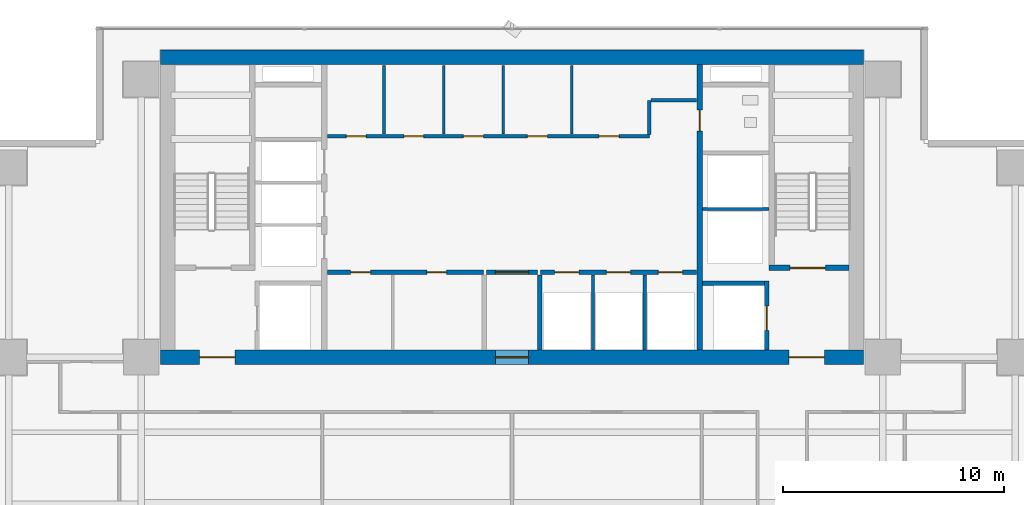
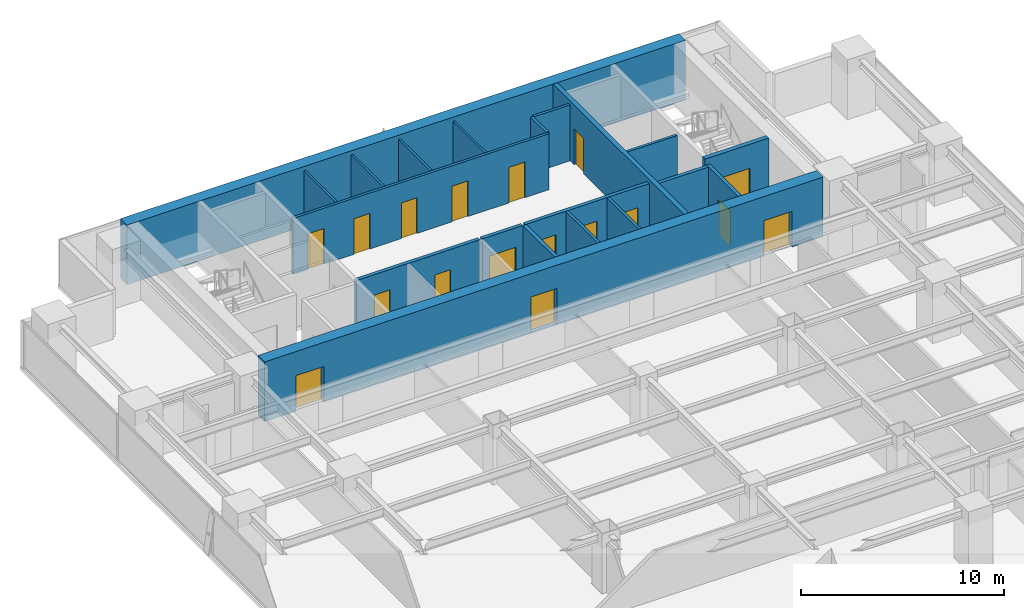
# One storey, part 22 of 28: 20 walls, 17 doors, 17 openings.
"""IFC4 building model written with IfcOpenShell, lengths in metres."""

import ifcopenshell
import ifcopenshell.guid

model = None  # the IFC model being written
_history = None  # IfcOwnerHistory: only IFC2X3 demands one
_inside = {}  # id of a spatial element -> (the spatial element, [elements in it])
_under = {}  # id of a project, library or spatial element -> (it, [spatial elements below it])
_declared = {}  # id of a project -> (the project, [libraries it declares])
_typed = {}  # id of a type object -> (the type object, [elements of that type])
_made_of = {}  # id of a material, layer set ... -> (it, [elements and type objects made of it])


def new_model(schema):
    """Start an empty IFC model of exactly this schema.

    Asked for "IFC4X3", IfcOpenShell would pick the latest addendum, in which some entities
    have other attributes; the version numbers below select the first issue.
    IFC2X3 requires an IfcOwnerHistory on every rooted entity: one is made here for all.
    """
    global model, _history
    if schema == "IFC4X3":
        model = ifcopenshell.file(schema_version=(4, 3, 0, 0))
    else:
        model = ifcopenshell.file(schema=schema)
    _inside.clear()
    _under.clear()
    _declared.clear()
    _typed.clear()
    _made_of.clear()
    _history = None
    if model.schema == "IFC2X3":
        org = make("IfcOrganization", Name="unknown")
        user = make(
            "IfcPersonAndOrganization",
            ThePerson=make("IfcPerson", FamilyName="unknown"),
            TheOrganization=org,
        )
        app = make(
            "IfcApplication",
            ApplicationDeveloper=org,
            Version="unknown",
            ApplicationFullName="unknown",
            ApplicationIdentifier="unknown",
        )
        _history = make(
            "IfcOwnerHistory",
            OwningUser=user,
            OwningApplication=app,
            ChangeAction="ADDED",
            CreationDate=0,
        )
    return model


def make(cls, **values):
    """One entity of the class cls with the attributes given. An attribute that is None is left unset."""
    return model.create_entity(
        cls, **{name: value for name, value in values.items() if value is not None}
    )


def rooted(cls, **values):
    """An entity with a GlobalId (a new one), such as an element, a storey or a relation."""
    return make(cls, GlobalId=ifcopenshell.guid.new(), OwnerHistory=_history, **values)


def si_unit(unit_type, name, prefix=None):
    """IfcSIUnit, for example si_unit("LENGTHUNIT", "METRE", prefix="MILLI")."""
    return make("IfcSIUnit", UnitType=unit_type, Prefix=prefix, Name=name)


def assignment(units):
    """IfcUnitAssignment: the units of a project."""
    return None if units is None else make("IfcUnitAssignment", Units=units)


def point(xyz):
    """IfcCartesianPoint."""
    return None if xyz is None else make("IfcCartesianPoint", Coordinates=xyz)


def direction(xyz):
    """IfcDirection."""
    return None if xyz is None else make("IfcDirection", DirectionRatios=xyz)


def frame(location, z_axis=None, x_axis=None):
    """IfcAxis2Placement3D, a coordinate frame: its origin and axes. An axis left out is left unset."""
    return make(
        "IfcAxis2Placement3D",
        Location=point(location),
        Axis=direction(z_axis),
        RefDirection=direction(x_axis),
    )


def frame_2d(location, x_axis=None):
    """IfcAxis2Placement2D, a coordinate frame in the plane: its origin and x axis."""
    return make(
        "IfcAxis2Placement2D", Location=point(location), RefDirection=direction(x_axis)
    )


def origin():
    """The frame at (0, 0, 0) with its axes left unset."""
    return frame((0.0, 0.0, 0.0))


def place(relative_to, where):
    """IfcLocalPlacement: puts the frame where relative to a parent placement (None: the world)."""
    return make(
        "IfcLocalPlacement", PlacementRelTo=relative_to, RelativePlacement=where
    )


def context(
    kind, dimensions, precision=None, world=None, true_north=None, identifier=None
):
    """IfcGeometricRepresentationContext, for example the 3D "Model" context."""
    return make(
        "IfcGeometricRepresentationContext",
        ContextIdentifier=identifier,
        ContextType=kind,
        CoordinateSpaceDimension=dimensions,
        Precision=precision,
        WorldCoordinateSystem=world,
        TrueNorth=true_north,
    )


def subcontext(parent, identifier, kind, view, scale=None):
    """IfcGeometricRepresentationSubContext, for example "Body" below "Model"."""
    return make(
        "IfcGeometricRepresentationSubContext",
        ContextIdentifier=identifier,
        ContextType=kind,
        ParentContext=parent,
        TargetScale=scale,
        TargetView=view,
    )


def project(units=None, contexts=None):
    """IfcProject with its units and contexts."""
    return rooted(
        "IfcProject",
        Name="project",
        RepresentationContexts=contexts,
        UnitsInContext=assignment(units),
    )


def spatial(cls, under=None, at=None, **own):
    """A site, building, storey or space (cls), placed at a placement, below another one or the project."""
    s = rooted(cls, ObjectPlacement=at, **own)
    if under is not None:
        _under.setdefault(under.id(), (under, []))[1].append(s)
    return s


def profile(cls, at=None, kind="AREA", **sizes):
    """A parametric profile (cls). Its sizes go by their IFC names, for example OverallWidth=200.0."""
    return make(cls, ProfileType=kind, Position=at, **sizes)


def rectangle(**sizes):
    """IfcRectangleProfileDef."""
    return profile("IfcRectangleProfileDef", **sizes)


def extrude(swept, where, along, depth):
    """IfcExtrudedAreaSolid: the profile swept, set in the frame where, extruded along a direction by depth."""
    return make(
        "IfcExtrudedAreaSolid",
        SweptArea=swept,
        Position=where,
        ExtrudedDirection=direction(along),
        Depth=depth,
    )


def shape(context_of_items, identifier, shape_type, items):
    """IfcShapeRepresentation: the items that make up one representation, for example the "Body"."""
    return make(
        "IfcShapeRepresentation",
        ContextOfItems=context_of_items,
        RepresentationIdentifier=identifier,
        RepresentationType=shape_type,
        Items=items,
    )


def source(mapping_origin, context_of_items, identifier, shape_type, items):
    """IfcRepresentationMap: a shape defined once, which mapped items show again and again."""
    return make(
        "IfcRepresentationMap",
        MappingOrigin=mapping_origin,
        MappedRepresentation=shape(context_of_items, identifier, shape_type, items),
    )


def transform(
    local_origin,
    x_axis=None,
    y_axis=None,
    z_axis=None,
    scale=None,
    scale2=None,
    scale3=None,
    uniform=True,
):
    """IfcCartesianTransformationOperator3D, or its non-uniform kind. x_axis, y_axis, z_axis: its Axis1, 2, 3."""
    if uniform:
        return make(
            "IfcCartesianTransformationOperator3D",
            Axis1=direction(x_axis),
            Axis2=direction(y_axis),
            LocalOrigin=point(local_origin),
            Scale=scale,
            Axis3=direction(z_axis),
        )
    return make(
        "IfcCartesianTransformationOperator3DnonUniform",
        Axis1=direction(x_axis),
        Axis2=direction(y_axis),
        LocalOrigin=point(local_origin),
        Scale=scale,
        Axis3=direction(z_axis),
        Scale2=scale2,
        Scale3=scale3,
    )


def mapped(mapping_source, mapping_target):
    """IfcMappedItem: shows the shape of a source again, moved by a transform."""
    return make(
        "IfcMappedItem", MappingSource=mapping_source, MappingTarget=mapping_target
    )


def material(Name=None, Category=None):
    """IfcMaterial."""
    return make("IfcMaterial", Name=Name, Category=Category)


def layer(
    of_material, thickness, ventilated=None, Name=None, Category=None, Priority=None
):
    """IfcMaterialLayer: one layer of a wall or slab, of a material (None: an air gap)."""
    return make(
        "IfcMaterialLayer",
        Material=of_material,
        LayerThickness=thickness,
        IsVentilated=ventilated,
        Name=Name,
        Category=Category,
        Priority=Priority,
    )


def layer_set(layers, Name=None):
    """IfcMaterialLayerSet."""
    return make("IfcMaterialLayerSet", MaterialLayers=layers, LayerSetName=Name)


def made_of(thing, what):
    """Note that an element or type object is made of a material, layer set ...; save() writes the relation."""
    if what is not None:
        _made_of.setdefault(what.id(), (what, []))[1].append(thing)
    return thing


def type_object(cls, material=None, **own):
    """A type object (cls), such as IfcWallType, which elements share."""
    return made_of(rooted(cls, **own), material)


def element(
    cls,
    number,
    at=None,
    inside=None,
    cuts=None,
    type_object=None,
    material=None,
    context=None,
    identifier="Body",
    shape_type=None,
    held_by="IfcProductDefinitionShape",
    body=None,
    shapes=None,
    **own,
):
    """One element of the class cls, such as IfcWall. Its Tag is "e" and its number.

    at: its placement. inside: the storey or other place that contains it. cuts: it is an
    opening in that element (IfcRelVoidsElement). A single representation is given by context,
    identifier, shape_type and body (its items); several are given by shapes. held_by: the class
    of the entity that holds the representations. save() writes the other relations.
    """
    e = rooted(cls, Tag="e%d" % number, ObjectPlacement=at, **own)
    if body is not None:
        shapes = [shape(context, identifier, shape_type, body)]
    if shapes is not None:
        e.Representation = make(held_by, Representations=shapes)
    if inside is not None:
        _inside.setdefault(inside.id(), (inside, []))[1].append(e)
    if cuts is not None:
        rooted(
            "IfcRelVoidsElement", RelatingBuildingElement=cuts, RelatedOpeningElement=e
        )
    if type_object is not None:
        _typed.setdefault(type_object.id(), (type_object, []))[1].append(e)
    return made_of(e, material)


def fill(opening, filler):
    """IfcRelFillsElement: the door or window that sits in an opening."""
    return rooted(
        "IfcRelFillsElement",
        RelatingOpeningElement=opening,
        RelatedBuildingElement=filler,
    )


def aggregate(whole, parts):
    """IfcRelAggregates: a whole, such as a stair, and the parts it consists of."""
    return rooted("IfcRelAggregates", RelatingObject=whole, RelatedObjects=parts)


def save(model, path):
    """Write the relations noted so far, then the file.

    IfcRelAggregates (storeys below a building ...), IfcRelContainedInSpatialStructure (elements
    in a storey), IfcRelDefinesByType, IfcRelAssociatesMaterial and IfcRelDeclares: one each for
    every whole, place, type object, material and project.
    """
    for whole, parts in _under.values():
        aggregate(whole, parts)
    for where, things in _inside.values():
        rooted(
            "IfcRelContainedInSpatialStructure",
            RelatedElements=things,
            RelatingStructure=where,
        )
    for kind, things in _typed.values():
        rooted("IfcRelDefinesByType", RelatedObjects=things, RelatingType=kind)
    for what, things in _made_of.values():
        rooted("IfcRelAssociatesMaterial", RelatedObjects=things, RelatingMaterial=what)
    for by, libraries in _declared.values():
        rooted("IfcRelDeclares", RelatingContext=by, RelatedDefinitions=libraries)
    model.write(path)


model = new_model("IFC4")

# Units and contexts
model_context = context("Model", 3, precision=1e-05, world=origin(), true_north=direction((0.0, 1.0)))
body_context = subcontext(model_context, "Body", "Model", "MODEL_VIEW")
ifc_project = project(units=[si_unit("LENGTHUNIT", "METRE"), si_unit("AREAUNIT", "SQUARE_METRE"), si_unit("VOLUMEUNIT", "CUBIC_METRE"), si_unit("PLANEANGLEUNIT", "RADIAN"), si_unit("MASSUNIT", "GRAM", prefix="KILO")], contexts=[model_context])

# Site, building, storey
site_placement = place(None, origin())
site = spatial("IfcSite", under=ifc_project, at=site_placement, CompositionType="ELEMENT")
building_placement = place(site_placement, origin())
building = spatial("IfcBuilding", under=site, at=building_placement, Name="Sumidabori Civic Tower", CompositionType="ELEMENT")
storey_placement = place(building_placement, frame((0.0, 0.0, 178.39990234375)))
storey = spatial("IfcBuildingStorey", under=building, at=storey_placement, Name="L46", CompositionType="ELEMENT", Elevation=178.39990234375)

# Walls
ifc_material_1 = material(Name="Concrete C50/60", Category="concrete")
ifc_layer_1 = layer(ifc_material_1, 0.199951171875, Name="Concrete C50/60")
ifc_layer_set_1 = layer_set([ifc_layer_1], Name="Concrete C50/60")
wall_type_1 = type_object("IfcWallType", Name="WL-SHAFT-200", PredefinedType="SHEAR", material=ifc_layer_set_1)
shared_shape_1 = source(origin(), body_context, "Body", "SweptSolid", [
    extrude(rectangle(XDim=2.824951171875, YDim=0.199951171875, at=frame_2d((1.41259765625, 0.0))), origin(), (0.0, 0.0, 1.0), 3.60009765625),
])
wall_1_placement = place(storey_placement, frame((8.625, 13.550048828125, 0.0), z_axis=(0.0, 0.0, 1.0), x_axis=(1.0, 0.0, 0.0)))
element("IfcWall", 1, at=wall_1_placement, inside=storey, type_object=wall_type_1, Name="Core Shear Wall L46 EL2-N", PredefinedType="SHEAR", context=body_context, shape_type="MappedRepresentation", body=[
    mapped(shared_shape_1, transform((0.0, 0.0, 0.0), x_axis=(1.0, 0.0, 0.0), y_axis=(0.0, 1.0, 0.0), z_axis=(0.0, 0.0, 1.0), scale=1.0)),
])
ifc_material_2 = material(Name="Concrete C60/75", Category="concrete")
ifc_layer_2 = layer(ifc_material_2, 0.64990234375, Name="Concrete C60/75")
ifc_layer_set_2 = layer_set([ifc_layer_2], Name="Concrete C60/75")
wall_type_2 = type_object("IfcWallType", Name="WL-CORE-650", PredefinedType="SHEAR", material=ifc_layer_set_2)
shared_shape_2 = source(origin(), body_context, "Body", "SweptSolid", [
    extrude(rectangle(XDim=31.85009765625, YDim=0.64990234375, at=frame_2d((15.925048828125, 0.0))), origin(), (0.0, 0.0, 1.0), 3.60009765625),
])
wall_2_placement = place(storey_placement, frame((-15.925048828125, 23.800048828125, 0.0), z_axis=(0.0, 0.0, 1.0), x_axis=(1.0, 0.0, 0.0)))
element("IfcWall", 2, at=wall_2_placement, inside=storey, type_object=wall_type_2, Name="Core Shear Wall L46 N", PredefinedType="SHEAR", context=body_context, shape_type="MappedRepresentation", body=[
    mapped(shared_shape_2, transform((0.0, 0.0, 0.0), x_axis=(1.0, 0.0, 0.0), y_axis=(0.0, 1.0, 0.0), z_axis=(0.0, 0.0, 1.0), scale=1.0)),
])

# Wall, openings, doors
wall_3_placement = place(storey_placement, frame((-15.925048828125, 10.199951171875, 0.0), z_axis=(0.0, 0.0, 1.0), x_axis=(1.0, 0.0, 0.0)))
wall_3 = element("IfcWall", 3, at=wall_3_placement, inside=storey, type_object=wall_type_2, Name="Core Shear Wall L46 S", PredefinedType="SHEAR", context=body_context, shape_type="MappedRepresentation", body=[
    mapped(shared_shape_2, transform((0.0, 0.0, 0.0), x_axis=(1.0, 0.0, 0.0), y_axis=(0.0, 1.0, 0.0), z_axis=(0.0, 0.0, 1.0), scale=1.0)),
])
opening_1_placement = place(wall_3_placement, frame((1.77490234375, 0.0, 0.0)))
opening_1 = element("IfcOpeningElement", 4, at=opening_1_placement, cuts=wall_3, Name="Opening DR-FD4", PredefinedType="OPENING", context=body_context, shape_type="SweptSolid", body=[
    extrude(rectangle(XDim=1.60009765625, YDim=2.14990234375, at=frame_2d((0.800048828125, 1.074951171875))), frame((0.0, 0.3369140625, 0.0), z_axis=(0.0, -1.0, 0.0), x_axis=(1.0, 0.0, 0.0)), (0.0, 0.0, 1.0), 0.673828125),
])
opening_2_placement = place(wall_3_placement, frame((28.47509765625, 0.0, 0.0)))
opening_2 = element("IfcOpeningElement", 5, at=opening_2_placement, cuts=wall_3, Name="Opening DR-FD4", PredefinedType="OPENING", context=body_context, shape_type="SweptSolid", body=[
    extrude(rectangle(XDim=1.60009765625, YDim=2.14990234375, at=frame_2d((0.800048828125, 1.074951171875))), frame((0.0, 0.3369140625, 0.0), z_axis=(0.0, -1.0, 0.0), x_axis=(1.0, 0.0, 0.0)), (0.0, 0.0, 1.0), 0.673828125),
])
opening_3_placement = place(wall_3_placement, frame((15.175048828125, 0.0, 0.0)))
opening_3 = element("IfcOpeningElement", 6, at=opening_3_placement, cuts=wall_3, Name="Opening DR-FD3", PredefinedType="OPENING", context=body_context, shape_type="SweptSolid", body=[
    extrude(rectangle(XDim=1.5, YDim=2.199951171875, at=frame_2d((0.75, 1.10009765625))), frame((0.0, 0.3369140625, 0.0), z_axis=(0.0, -1.0, 0.0), x_axis=(1.0, 0.0, 0.0)), (0.0, 0.0, 1.0), 0.673828125),
])
ifc_material_3 = material(Name="Steel SN490", Category="steel")
door_type_1 = type_object("IfcDoorType", Name="DR-FD4", OperationType="DOUBLE_DOOR_SINGLE_SWING", PredefinedType="DOOR", material=ifc_material_3)
shared_shape_3 = source(origin(), body_context, "Body", "SweptSolid", [
    extrude(rectangle(XDim=1.60009765625, YDim=2.14990234375, at=frame_2d((0.800048828125, 1.074951171875))), frame((0.0, 0.02490234375, 0.0), z_axis=(0.0, -1.0, 0.0), x_axis=(1.0, 0.0, 0.0)), (0.0, 0.0, 1.0), 0.050048828125),
])
door_1_placement = place(opening_1_placement, origin())
door_1 = element("IfcDoor", 7, at=door_1_placement, inside=storey, type_object=door_type_1, Name="Door DR:L46:ELOB-W", OperationType="DOUBLE_DOOR_SINGLE_SWING", OverallHeight=2.14990234375, OverallWidth=1.60009765625, PredefinedType="DOOR", context=body_context, shape_type="MappedRepresentation", body=[
    mapped(shared_shape_3, transform((0.0, 0.0, 0.0), x_axis=(1.0, 0.0, 0.0), y_axis=(0.0, 1.0, 0.0), z_axis=(0.0, 0.0, 1.0), scale=1.0)),
])
fill(opening_1, door_1)
door_2_placement = place(opening_2_placement, origin())
door_2 = element("IfcDoor", 8, at=door_2_placement, inside=storey, type_object=door_type_1, Name="Door DR:L46:ELOB-E", OperationType="DOUBLE_DOOR_SINGLE_SWING", OverallHeight=2.14990234375, OverallWidth=1.60009765625, PredefinedType="DOOR", context=body_context, shape_type="MappedRepresentation", body=[
    mapped(shared_shape_3, transform((0.0, 0.0, 0.0), x_axis=(1.0, 0.0, 0.0), y_axis=(0.0, 1.0, 0.0), z_axis=(0.0, 0.0, 1.0), scale=1.0)),
])
fill(opening_2, door_2)
door_type_2 = type_object("IfcDoorType", Name="DR-FD-DBL", OperationType="DOUBLE_DOOR_SINGLE_SWING", PredefinedType="DOOR", material=ifc_material_3)
shared_shape_4 = source(origin(), body_context, "Body", "SweptSolid", [
    extrude(rectangle(XDim=1.5, YDim=2.199951171875, at=frame_2d((0.75, 1.10009765625))), frame((0.0, 0.02490234375, 0.0), z_axis=(0.0, -1.0, 0.0), x_axis=(1.0, 0.0, 0.0)), (0.0, 0.0, 1.0), 0.050048828125),
])
door_3_placement = place(opening_3_placement, origin())
door_3 = element("IfcDoor", 9, at=door_3_placement, inside=storey, type_object=door_type_2, Name="Door DR:L46:THROAT-OUT", OperationType="DOUBLE_DOOR_SINGLE_SWING", OverallHeight=2.199951171875, OverallWidth=1.5, PredefinedType="DOOR", context=body_context, shape_type="MappedRepresentation", body=[
    mapped(shared_shape_4, transform((0.0, 0.0, 0.0), x_axis=(1.0, 0.0, 0.0), y_axis=(0.0, 1.0, 0.0), z_axis=(0.0, 0.0, 1.0), scale=1.0)),
])
fill(opening_3, door_3)

# Wall, opening, door
ifc_layer_3 = layer(ifc_material_1, 0.25, Name="Concrete C50/60")
ifc_layer_set_3 = layer_set([ifc_layer_3], Name="Concrete C50/60")
wall_type_3 = type_object("IfcWallType", Name="WL-SHAFT-250", PredefinedType="SHEAR", material=ifc_layer_set_3)
shared_shape_5 = source(origin(), body_context, "Body", "SweptSolid", [
    extrude(rectangle(XDim=12.9501953125, YDim=0.25, at=frame_2d((6.47509765625, 0.0))), origin(), (0.0, 0.0, 1.0), 3.60009765625),
])
wall_4_placement = place(storey_placement, frame((8.5, 10.52490234375, 0.0), z_axis=(0.0, 0.0, 1.0), x_axis=(0.0, 1.0, 0.0)))
wall_4 = element("IfcWall", 10, at=wall_4_placement, inside=storey, type_object=wall_type_3, Name="Core Shear Wall L46 WEB-E", PredefinedType="SHEAR", context=body_context, shape_type="MappedRepresentation", body=[
    mapped(shared_shape_5, transform((0.0, 0.0, 0.0), x_axis=(1.0, 0.0, 0.0), y_axis=(0.0, 1.0, 0.0), z_axis=(0.0, 0.0, 1.0), scale=1.0)),
])
opening_4_placement = place(wall_4_placement, frame((9.925048828125, 0.0, 0.0)))
opening_4 = element("IfcOpeningElement", 11, at=opening_4_placement, cuts=wall_4, Name="Opening DR-2", PredefinedType="OPENING", context=body_context, shape_type="SweptSolid", body=[
    extrude(rectangle(XDim=0.949951171875, YDim=2.14990234375, at=frame_2d((0.47509765625, 1.074951171875))), frame((0.0, 0.136962890625, 0.0), z_axis=(0.0, -1.0, 0.0), x_axis=(1.0, 0.0, 0.0)), (0.0, 0.0, 1.0), 0.27392578125),
])
ifc_material_4 = material(Name="Japanese Hinoki Timber", Category="wood")
door_type_3 = type_object("IfcDoorType", Name="DR-INT-950", OperationType="NOTDEFINED", PredefinedType="DOOR", material=ifc_material_4)
shared_shape_6 = source(origin(), body_context, "Body", "SweptSolid", [
    extrude(rectangle(XDim=0.949951171875, YDim=2.14990234375, at=frame_2d((0.47509765625, 1.074951171875))), frame((0.0, 0.02490234375, 0.0), z_axis=(0.0, -1.0, 0.0), x_axis=(1.0, 0.0, 0.0)), (0.0, 0.0, 1.0), 0.050048828125),
])
door_4_placement = place(opening_4_placement, origin())
door_4 = element("IfcDoor", 12, at=door_4_placement, inside=storey, type_object=door_type_3, Name="Door DR:L46:WC-ACC", OperationType="SINGLE_SWING_RIGHT", OverallHeight=2.14990234375, OverallWidth=0.949951171875, PredefinedType="DOOR", context=body_context, shape_type="MappedRepresentation", body=[
    mapped(shared_shape_6, transform((0.0, 0.0, 0.0), x_axis=(1.0, 0.0, 0.0), y_axis=(0.0, 1.0, 0.0), z_axis=(0.0, 0.0, 1.0), scale=1.0)),
])
fill(opening_4, door_4)

shared_shape_7 = source(origin(), body_context, "Body", "SweptSolid", [
    extrude(rectangle(XDim=3.6298828125, YDim=0.25, at=frame_2d((1.81494140625, 0.0))), origin(), (0.0, 0.0, 1.0), 3.60009765625),
])
wall_5_placement = place(storey_placement, frame((11.64501953125, 14.25, 0.0), z_axis=(0.0, 0.0, 1.0), x_axis=(1.0, 0.0, 0.0)))
wall_5 = element("IfcWall", 13, at=wall_5_placement, inside=storey, type_object=wall_type_3, Name="Core Shear Wall L46 ST2-S", PredefinedType="SHEAR", context=body_context, shape_type="MappedRepresentation", body=[
    mapped(shared_shape_7, transform((0.0, 0.0, 0.0), x_axis=(1.0, 0.0, 0.0), y_axis=(0.0, 1.0, 0.0), z_axis=(0.0, 0.0, 1.0), scale=1.0)),
])
opening_5_placement = place(wall_5_placement, frame((0.949951171875, 0.0, 0.0)))
opening_5 = element("IfcOpeningElement", 14, at=opening_5_placement, cuts=wall_5, Name="Opening DR-FD4", PredefinedType="OPENING", context=body_context, shape_type="SweptSolid", body=[
    extrude(rectangle(XDim=1.60009765625, YDim=2.14990234375, at=frame_2d((0.800048828125, 1.074951171875))), frame((0.0, 0.136962890625, 0.0), z_axis=(0.0, -1.0, 0.0), x_axis=(1.0, 0.0, 0.0)), (0.0, 0.0, 1.0), 0.27392578125),
])
door_5_placement = place(opening_5_placement, origin())
door_5 = element("IfcDoor", 15, at=door_5_placement, inside=storey, type_object=door_type_1, Name="Door DR:L46:ST2", OperationType="DOUBLE_DOOR_SINGLE_SWING", OverallHeight=2.14990234375, OverallWidth=1.60009765625, PredefinedType="DOOR", context=body_context, shape_type="MappedRepresentation", body=[
    mapped(shared_shape_3, transform((0.0, 0.0, 0.0), x_axis=(1.0, 0.0, 0.0), y_axis=(0.0, 1.0, 0.0), z_axis=(0.0, 0.0, 1.0), scale=1.0)),
])
fill(opening_5, door_5)

shared_shape_8 = source(origin(), body_context, "Body", "SweptSolid", [
    extrude(rectangle(XDim=3.125, YDim=0.199951171875, at=frame_2d((1.5625, 0.0))), origin(), (0.0, 0.0, 1.0), 3.60009765625),
])
wall_6_placement = place(storey_placement, frame((11.550048828125, 10.52490234375, 0.0), z_axis=(0.0, 0.0, 1.0), x_axis=(0.0, 1.0, 0.0)))
wall_6 = element("IfcWall", 16, at=wall_6_placement, inside=storey, type_object=wall_type_1, Name="Core Shear Wall L46 EL2-E", PredefinedType="SHEAR", context=body_context, shape_type="MappedRepresentation", body=[
    mapped(shared_shape_8, transform((0.0, 0.0, 0.0), x_axis=(1.0, 0.0, 0.0), y_axis=(0.0, 1.0, 0.0), z_axis=(0.0, 0.0, 1.0), scale=1.0)),
])
opening_6_placement = place(wall_6_placement, frame((0.89990234375, 0.0, 0.0)))
opening_6 = element("IfcOpeningElement", 17, at=opening_6_placement, cuts=wall_6, Name="Opening LD-2", PredefinedType="OPENING", context=body_context, shape_type="SweptSolid", body=[
    extrude(rectangle(XDim=1.10009765625, YDim=2.14990234375, at=frame_2d((0.550048828125, 1.074951171875))), frame((0.0, 0.11181640625, 0.0), z_axis=(0.0, -1.0, 0.0), x_axis=(1.0, 0.0, 0.0)), (0.0, 0.0, 1.0), 0.223876953125),
])
ifc_material_5 = material(Name="Stainless Steel Hairline Finish", Category="steel")
door_type_4 = type_object("IfcDoorType", Name="DR-LD2", OperationType="DOUBLE_DOOR_SLIDING", PredefinedType="DOOR", material=ifc_material_5)
shared_shape_9 = source(origin(), body_context, "Body", "SweptSolid", [
    extrude(rectangle(XDim=1.10009765625, YDim=2.14990234375, at=frame_2d((0.550048828125, 1.074951171875))), frame((0.0, 0.02490234375, 0.0), z_axis=(0.0, -1.0, 0.0), x_axis=(1.0, 0.0, 0.0)), (0.0, 0.0, 1.0), 0.050048828125),
])
door_6_placement = place(opening_6_placement, origin())
door_6 = element("IfcDoor", 18, at=door_6_placement, inside=storey, type_object=door_type_4, Name="Door DR:L46:LD-EL2", OperationType="DOUBLE_DOOR_SLIDING", OverallHeight=2.14990234375, OverallWidth=1.10009765625, PredefinedType="DOOR", context=body_context, shape_type="MappedRepresentation", body=[
    mapped(shared_shape_9, transform((0.0, 0.0, 0.0), x_axis=(1.0, 0.0, 0.0), y_axis=(0.0, 1.0, 0.0), z_axis=(0.0, 0.0, 1.0), scale=1.0)),
])
fill(opening_6, door_6)

# Wall
ifc_material_6 = material(Name="Gypsum Plasterboard Acoustic Partition")
ifc_layer_4 = layer(ifc_material_6, 0.14990234375, Name="Gypsum Plasterboard Acoustic Partition")
ifc_layer_set_4 = layer_set([ifc_layer_4], Name="Gypsum Plasterboard Acoustic Partition")
wall_type_4 = type_object("IfcWallType", Name="WL-PART-150", PredefinedType="PARTITIONING", material=ifc_layer_set_4)
shared_shape_10 = source(origin(), body_context, "Body", "SweptSolid", [
    extrude(rectangle(XDim=3.010009765625, YDim=0.14990234375, at=frame_2d((1.5048828125, 0.0))), origin(), (0.0, 0.0, 1.0), 3.380126953125),
])
wall_7_placement = place(storey_placement, frame((8.6298828125, 16.919921875, 0.0), z_axis=(0.0, 0.0, 1.0), x_axis=(1.0, 0.0, 0.0)))
element("IfcWall", 19, at=wall_7_placement, inside=storey, type_object=wall_type_4, Name="Interior Partition WL:L46:DIV-OBS1", PredefinedType="PARTITIONING", context=body_context, shape_type="MappedRepresentation", body=[
    mapped(shared_shape_10, transform((0.0, 0.0, 0.0), x_axis=(1.0, 0.0, 0.0), y_axis=(0.0, 1.0, 0.0), z_axis=(0.0, 0.0, 1.0), scale=1.0)),
])

# Wall, openings, doors
ifc_material_7 = material(Name="Gypsum Plasterboard Fire Partition")
ifc_layer_5 = layer(ifc_material_7, 0.199951171875, Name="Gypsum Plasterboard Fire Partition")
ifc_layer_set_5 = layer_set([ifc_layer_5], Name="Gypsum Plasterboard Fire Partition")
wall_type_5 = type_object("IfcWallType", Name="WL-PART-FIRE", PredefinedType="PARTITIONING", material=ifc_layer_set_5)
shared_shape_11 = source(origin(), body_context, "Body", "SweptSolid", [
    extrude(rectangle(XDim=7.070068359375, YDim=0.199951171875, at=frame_2d((3.53515625, 0.0))), origin(), (0.0, 0.0, 1.0), 3.380126953125),
])
wall_8_placement = place(storey_placement, frame((-8.3701171875, 14.050048828125, 0.0), z_axis=(0.0, 0.0, 1.0), x_axis=(1.0, 0.0, 0.0)))
wall_8 = element("IfcWall", 20, at=wall_8_placement, inside=storey, type_object=wall_type_5, Name="Interior Partition WL:L46:CBAND-SW", PredefinedType="PARTITIONING", context=body_context, shape_type="MappedRepresentation", body=[
    mapped(shared_shape_11, transform((0.0, 0.0, 0.0), x_axis=(1.0, 0.0, 0.0), y_axis=(0.0, 1.0, 0.0), z_axis=(0.0, 0.0, 1.0), scale=1.0)),
])
opening_7_placement = place(wall_8_placement, frame((1.06005859375, 0.0, 0.0)))
opening_7 = element("IfcOpeningElement", 21, at=opening_7_placement, cuts=wall_8, Name="Opening DR-1", PredefinedType="OPENING", context=body_context, shape_type="SweptSolid", body=[
    extrude(rectangle(XDim=0.89990234375, YDim=2.14990234375, at=frame_2d((0.449951171875, 1.074951171875))), frame((0.0, 0.11181640625, 0.0), z_axis=(0.0, -1.0, 0.0), x_axis=(1.0, 0.0, 0.0)), (0.0, 0.0, 1.0), 0.223876953125),
])
opening_8_placement = place(wall_8_placement, frame((4.510009765625, 0.0, 0.0)))
opening_8 = element("IfcOpeningElement", 22, at=opening_8_placement, cuts=wall_8, Name="Opening DR-1", PredefinedType="OPENING", context=body_context, shape_type="SweptSolid", body=[
    extrude(rectangle(XDim=0.89990234375, YDim=2.14990234375, at=frame_2d((0.449951171875, 1.074951171875))), frame((0.0, 0.11181640625, 0.0), z_axis=(0.0, -1.0, 0.0), x_axis=(1.0, 0.0, 0.0)), (0.0, 0.0, 1.0), 0.223876953125),
])
door_type_5 = type_object("IfcDoorType", Name="DR-INT-900", OperationType="NOTDEFINED", PredefinedType="DOOR", material=ifc_material_4)
shared_shape_12 = source(origin(), body_context, "Body", "SweptSolid", [
    extrude(rectangle(XDim=0.89990234375, YDim=2.14990234375, at=frame_2d((0.449951171875, 1.074951171875))), frame((0.0, 0.02490234375, 0.0), z_axis=(0.0, -1.0, 0.0), x_axis=(1.0, 0.0, 0.0)), (0.0, 0.0, 1.0), 0.050048828125),
])
door_7_placement = place(opening_7_placement, origin())
door_7 = element("IfcDoor", 23, at=door_7_placement, inside=storey, type_object=door_type_5, Name="Door DR:L46:REC-B1A", OperationType="SINGLE_SWING_LEFT", OverallHeight=2.14990234375, OverallWidth=0.89990234375, PredefinedType="DOOR", context=body_context, shape_type="MappedRepresentation", body=[
    mapped(shared_shape_12, transform((0.0, 0.0, 0.0), x_axis=(1.0, 0.0, 0.0), y_axis=(0.0, 1.0, 0.0), z_axis=(0.0, 0.0, 1.0), scale=1.0)),
])
fill(opening_7, door_7)
door_8_placement = place(opening_8_placement, origin())
door_8 = element("IfcDoor", 24, at=door_8_placement, inside=storey, type_object=door_type_5, Name="Door DR:L46:REC-B1B", OperationType="SINGLE_SWING_RIGHT", OverallHeight=2.14990234375, OverallWidth=0.89990234375, PredefinedType="DOOR", context=body_context, shape_type="MappedRepresentation", body=[
    mapped(shared_shape_12, transform((0.0, 0.0, 0.0), x_axis=(1.0, 0.0, 0.0), y_axis=(0.0, 1.0, 0.0), z_axis=(0.0, 0.0, 1.0), scale=1.0)),
])
fill(opening_8, door_8)

wall_9_placement = place(storey_placement, frame((1.300048828125, 14.050048828125, 0.0), z_axis=(0.0, 0.0, 1.0), x_axis=(1.0, 0.0, 0.0)))
wall_9 = element("IfcWall", 25, at=wall_9_placement, inside=storey, type_object=wall_type_5, Name="Interior Partition WL:L46:CBAND-SE", PredefinedType="PARTITIONING", context=body_context, shape_type="MappedRepresentation", body=[
    mapped(shared_shape_11, transform((0.0, 0.0, 0.0), x_axis=(1.0, 0.0, 0.0), y_axis=(0.0, 1.0, 0.0), z_axis=(0.0, 0.0, 1.0), scale=1.0)),
])
opening_9_placement = place(wall_9_placement, frame((0.6298828125, 0.0, 0.0)))
opening_9 = element("IfcOpeningElement", 26, at=opening_9_placement, cuts=wall_9, Name="Opening LD-1", PredefinedType="OPENING", context=body_context, shape_type="SweptSolid", body=[
    extrude(rectangle(XDim=1.10009765625, YDim=2.14990234375, at=frame_2d((0.550048828125, 1.074951171875))), frame((0.0, 0.11181640625, 0.0), z_axis=(0.0, -1.0, 0.0), x_axis=(1.0, 0.0, 0.0)), (0.0, 0.0, 1.0), 0.223876953125),
])
opening_10_placement = place(wall_9_placement, frame((2.97998046875, 0.0, 0.0)))
opening_10 = element("IfcOpeningElement", 27, at=opening_10_placement, cuts=wall_9, Name="Opening LD-1", PredefinedType="OPENING", context=body_context, shape_type="SweptSolid", body=[
    extrude(rectangle(XDim=1.10009765625, YDim=2.14990234375, at=frame_2d((0.550048828125, 1.074951171875))), frame((0.0, 0.11181640625, 0.0), z_axis=(0.0, -1.0, 0.0), x_axis=(1.0, 0.0, 0.0)), (0.0, 0.0, 1.0), 0.223876953125),
])
opening_11_placement = place(wall_9_placement, frame((5.330078125, 0.0, 0.0)))
opening_11 = element("IfcOpeningElement", 28, at=opening_11_placement, cuts=wall_9, Name="Opening LD-1", PredefinedType="OPENING", context=body_context, shape_type="SweptSolid", body=[
    extrude(rectangle(XDim=1.10009765625, YDim=2.14990234375, at=frame_2d((0.550048828125, 1.074951171875))), frame((0.0, 0.11181640625, 0.0), z_axis=(0.0, -1.0, 0.0), x_axis=(1.0, 0.0, 0.0)), (0.0, 0.0, 1.0), 0.223876953125),
])
door_type_6 = type_object("IfcDoorType", Name="DR-LD1", OperationType="DOUBLE_DOOR_SLIDING", PredefinedType="DOOR", material=ifc_material_5)
door_9_placement = place(opening_9_placement, origin())
door_9 = element("IfcDoor", 29, at=door_9_placement, inside=storey, type_object=door_type_6, Name="Door DR:L46:LD-PLM1", OperationType="DOUBLE_DOOR_SLIDING", OverallHeight=2.14990234375, OverallWidth=1.10009765625, PredefinedType="DOOR", context=body_context, shape_type="MappedRepresentation", body=[
    mapped(shared_shape_9, transform((0.0, 0.0, 0.0), x_axis=(1.0, 0.0, 0.0), y_axis=(0.0, 1.0, 0.0), z_axis=(0.0, 0.0, 1.0), scale=1.0)),
])
fill(opening_9, door_9)
door_10_placement = place(opening_10_placement, origin())
door_10 = element("IfcDoor", 30, at=door_10_placement, inside=storey, type_object=door_type_6, Name="Door DR:L46:LD-PLM2", OperationType="DOUBLE_DOOR_SLIDING", OverallHeight=2.14990234375, OverallWidth=1.10009765625, PredefinedType="DOOR", context=body_context, shape_type="MappedRepresentation", body=[
    mapped(shared_shape_9, transform((0.0, 0.0, 0.0), x_axis=(1.0, 0.0, 0.0), y_axis=(0.0, 1.0, 0.0), z_axis=(0.0, 0.0, 1.0), scale=1.0)),
])
fill(opening_10, door_10)
door_11_placement = place(opening_11_placement, origin())
door_11 = element("IfcDoor", 31, at=door_11_placement, inside=storey, type_object=door_type_6, Name="Door DR:L46:LD-PLM3", OperationType="DOUBLE_DOOR_SLIDING", OverallHeight=2.14990234375, OverallWidth=1.10009765625, PredefinedType="DOOR", context=body_context, shape_type="MappedRepresentation", body=[
    mapped(shared_shape_9, transform((0.0, 0.0, 0.0), x_axis=(1.0, 0.0, 0.0), y_axis=(0.0, 1.0, 0.0), z_axis=(0.0, 0.0, 1.0), scale=1.0)),
])
fill(opening_11, door_11)

# Wall
shared_shape_13 = source(origin(), body_context, "Body", "SweptSolid", [
    extrude(rectangle(XDim=3.4150390625, YDim=0.199951171875, at=frame_2d((1.70751953125, 0.0))), origin(), (0.0, 0.0, 1.0), 3.380126953125),
])
wall_10_placement = place(storey_placement, frame((1.25, 10.52490234375, 0.0), z_axis=(0.0, 0.0, 1.0), x_axis=(0.0, 1.0, 0.0)))
element("IfcWall", 32, at=wall_10_placement, inside=storey, type_object=wall_type_5, Name="Interior Partition WL:L46:THROAT-E", PredefinedType="PARTITIONING", context=body_context, shape_type="MappedRepresentation", body=[
    mapped(shared_shape_13, transform((0.0, 0.0, 0.0), x_axis=(1.0, 0.0, 0.0), y_axis=(0.0, 1.0, 0.0), z_axis=(0.0, 0.0, 1.0), scale=1.0)),
])

# Wall, opening, door
shared_shape_14 = source(origin(), body_context, "Body", "SweptSolid", [
    extrude(rectangle(XDim=2.2998046875, YDim=0.199951171875, at=frame_2d((1.14990234375, 0.0))), origin(), (0.0, 0.0, 1.0), 3.380126953125),
])
wall_11_placement = place(storey_placement, frame((-1.14990234375, 14.050048828125, 0.0), z_axis=(0.0, 0.0, 1.0), x_axis=(1.0, 0.0, 0.0)))
wall_11 = element("IfcWall", 33, at=wall_11_placement, inside=storey, type_object=wall_type_5, Name="Interior Partition WL:L46:THROAT-N", PredefinedType="PARTITIONING", context=body_context, shape_type="MappedRepresentation", body=[
    mapped(shared_shape_14, transform((0.0, 0.0, 0.0), x_axis=(1.0, 0.0, 0.0), y_axis=(0.0, 1.0, 0.0), z_axis=(0.0, 0.0, 1.0), scale=1.0)),
])
opening_12_placement = place(wall_11_placement, frame((0.39990234375, 0.0, 0.0)))
opening_12 = element("IfcOpeningElement", 34, at=opening_12_placement, cuts=wall_11, Name="Opening DR-FD3", PredefinedType="OPENING", context=body_context, shape_type="SweptSolid", body=[
    extrude(rectangle(XDim=1.5, YDim=2.199951171875, at=frame_2d((0.75, 1.10009765625))), frame((0.0, 0.11181640625, 0.0), z_axis=(0.0, -1.0, 0.0), x_axis=(1.0, 0.0, 0.0)), (0.0, 0.0, 1.0), 0.223876953125),
])
door_12_placement = place(opening_12_placement, origin())
door_12 = element("IfcDoor", 35, at=door_12_placement, inside=storey, type_object=door_type_2, Name="Door DR:L46:THROAT-IN", OperationType="DOUBLE_DOOR_SINGLE_SWING", OverallHeight=2.199951171875, OverallWidth=1.5, PredefinedType="DOOR", context=body_context, shape_type="MappedRepresentation", body=[
    mapped(shared_shape_4, transform((0.0, 0.0, 0.0), x_axis=(1.0, 0.0, 0.0), y_axis=(0.0, 1.0, 0.0), z_axis=(0.0, 0.0, 1.0), scale=1.0)),
])
fill(opening_12, door_12)

# Wall, openings, doors
shared_shape_15 = source(origin(), body_context, "Body", "SweptSolid", [
    extrude(rectangle(XDim=14.590087890625, YDim=0.14990234375, at=frame_2d((7.294921875, 0.0))), origin(), (0.0, 0.0, 1.0), 3.380126953125),
])
wall_12_placement = place(storey_placement, frame((-8.3701171875, 20.219970703125, 0.0), z_axis=(0.0, 0.0, 1.0), x_axis=(1.0, 0.0, 0.0)))
wall_12 = element("IfcWall", 36, at=wall_12_placement, inside=storey, type_object=wall_type_4, Name="Interior Partition WL:L46:CBAND-M", PredefinedType="PARTITIONING", context=body_context, shape_type="MappedRepresentation", body=[
    mapped(shared_shape_15, transform((0.0, 0.0, 0.0), x_axis=(1.0, 0.0, 0.0), y_axis=(0.0, 1.0, 0.0), z_axis=(0.0, 0.0, 1.0), scale=1.0)),
])
opening_13_placement = place(wall_12_placement, frame((0.860107421875, 0.0, 0.0)))
opening_13 = element("IfcOpeningElement", 37, at=opening_13_placement, cuts=wall_12, Name="Opening DR-1", PredefinedType="OPENING", context=body_context, shape_type="SweptSolid", body=[
    extrude(rectangle(XDim=0.89990234375, YDim=2.14990234375, at=frame_2d((0.449951171875, 1.074951171875))), frame((0.0, 0.0869140625, 0.0), z_axis=(0.0, -1.0, 0.0), x_axis=(1.0, 0.0, 0.0)), (0.0, 0.0, 1.0), 0.173828125),
])
opening_14_placement = place(wall_12_placement, frame((3.469970703125, 0.0, 0.0)))
opening_14 = element("IfcOpeningElement", 38, at=opening_14_placement, cuts=wall_12, Name="Opening DR-1", PredefinedType="OPENING", context=body_context, shape_type="SweptSolid", body=[
    extrude(rectangle(XDim=0.89990234375, YDim=2.14990234375, at=frame_2d((0.449951171875, 1.074951171875))), frame((0.0, 0.0869140625, 0.0), z_axis=(0.0, -1.0, 0.0), x_axis=(1.0, 0.0, 0.0)), (0.0, 0.0, 1.0), 0.173828125),
])
opening_15_placement = place(wall_12_placement, frame((6.169921875, 0.0, 0.0)))
opening_15 = element("IfcOpeningElement", 39, at=opening_15_placement, cuts=wall_12, Name="Opening DR-1", PredefinedType="OPENING", context=body_context, shape_type="SweptSolid", body=[
    extrude(rectangle(XDim=0.89990234375, YDim=2.14990234375, at=frame_2d((0.449951171875, 1.074951171875))), frame((0.0, 0.0869140625, 0.0), z_axis=(0.0, -1.0, 0.0), x_axis=(1.0, 0.0, 0.0)), (0.0, 0.0, 1.0), 0.173828125),
])
opening_16_placement = place(wall_12_placement, frame((9.070068359375, 0.0, 0.0)))
opening_16 = element("IfcOpeningElement", 40, at=opening_16_placement, cuts=wall_12, Name="Opening DR-1", PredefinedType="OPENING", context=body_context, shape_type="SweptSolid", body=[
    extrude(rectangle(XDim=0.89990234375, YDim=2.14990234375, at=frame_2d((0.449951171875, 1.074951171875))), frame((0.0, 0.0869140625, 0.0), z_axis=(0.0, -1.0, 0.0), x_axis=(1.0, 0.0, 0.0)), (0.0, 0.0, 1.0), 0.173828125),
])
opening_17_placement = place(wall_12_placement, frame((12.320068359375, 0.0, 0.0)))
opening_17 = element("IfcOpeningElement", 41, at=opening_17_placement, cuts=wall_12, Name="Opening DR-1", PredefinedType="OPENING", context=body_context, shape_type="SweptSolid", body=[
    extrude(rectangle(XDim=0.89990234375, YDim=2.14990234375, at=frame_2d((0.449951171875, 1.074951171875))), frame((0.0, 0.0869140625, 0.0), z_axis=(0.0, -1.0, 0.0), x_axis=(1.0, 0.0, 0.0)), (0.0, 0.0, 1.0), 0.173828125),
])
door_13_placement = place(opening_13_placement, origin())
door_13 = element("IfcDoor", 42, at=door_13_placement, inside=storey, type_object=door_type_5, Name="Door DR:L46:CB-1", OperationType="SINGLE_SWING_LEFT", OverallHeight=2.14990234375, OverallWidth=0.89990234375, PredefinedType="DOOR", context=body_context, shape_type="MappedRepresentation", body=[
    mapped(shared_shape_12, transform((0.0, 0.0, 0.0), x_axis=(1.0, 0.0, 0.0), y_axis=(0.0, 1.0, 0.0), z_axis=(0.0, 0.0, 1.0), scale=1.0)),
])
fill(opening_13, door_13)
door_14_placement = place(opening_14_placement, origin())
door_14 = element("IfcDoor", 43, at=door_14_placement, inside=storey, type_object=door_type_5, Name="Door DR:L46:CB-2", OperationType="SINGLE_SWING_RIGHT", OverallHeight=2.14990234375, OverallWidth=0.89990234375, PredefinedType="DOOR", context=body_context, shape_type="MappedRepresentation", body=[
    mapped(shared_shape_12, transform((0.0, 0.0, 0.0), x_axis=(1.0, 0.0, 0.0), y_axis=(0.0, 1.0, 0.0), z_axis=(0.0, 0.0, 1.0), scale=1.0)),
])
fill(opening_14, door_14)
door_15_placement = place(opening_15_placement, origin())
door_15 = element("IfcDoor", 44, at=door_15_placement, inside=storey, type_object=door_type_5, Name="Door DR:L46:CB-3", OperationType="SINGLE_SWING_LEFT", OverallHeight=2.14990234375, OverallWidth=0.89990234375, PredefinedType="DOOR", context=body_context, shape_type="MappedRepresentation", body=[
    mapped(shared_shape_12, transform((0.0, 0.0, 0.0), x_axis=(1.0, 0.0, 0.0), y_axis=(0.0, 1.0, 0.0), z_axis=(0.0, 0.0, 1.0), scale=1.0)),
])
fill(opening_15, door_15)
door_16_placement = place(opening_16_placement, origin())
door_16 = element("IfcDoor", 45, at=door_16_placement, inside=storey, type_object=door_type_5, Name="Door DR:L46:CB-4", OperationType="SINGLE_SWING_RIGHT", OverallHeight=2.14990234375, OverallWidth=0.89990234375, PredefinedType="DOOR", context=body_context, shape_type="MappedRepresentation", body=[
    mapped(shared_shape_12, transform((0.0, 0.0, 0.0), x_axis=(1.0, 0.0, 0.0), y_axis=(0.0, 1.0, 0.0), z_axis=(0.0, 0.0, 1.0), scale=1.0)),
])
fill(opening_16, door_16)
door_17_placement = place(opening_17_placement, origin())
door_17 = element("IfcDoor", 46, at=door_17_placement, inside=storey, type_object=door_type_5, Name="Door DR:L46:CB-5", OperationType="SINGLE_SWING_LEFT", OverallHeight=2.14990234375, OverallWidth=0.89990234375, PredefinedType="DOOR", context=body_context, shape_type="MappedRepresentation", body=[
    mapped(shared_shape_12, transform((0.0, 0.0, 0.0), x_axis=(1.0, 0.0, 0.0), y_axis=(0.0, 1.0, 0.0), z_axis=(0.0, 0.0, 1.0), scale=1.0)),
])
fill(opening_17, door_17)

# Walls
shared_shape_16 = source(origin(), body_context, "Body", "SweptSolid", [
    extrude(rectangle(XDim=1.550048828125, YDim=0.14990234375, at=frame_2d((0.77490234375, 0.0))), origin(), (0.0, 0.0, 1.0), 3.380126953125),
])
wall_13_placement = place(storey_placement, frame((6.219970703125, 20.300048828125, 0.0), z_axis=(0.0, 0.0, 1.0), x_axis=(0.0, 1.0, 0.0)))
element("IfcWall", 47, at=wall_13_placement, inside=storey, type_object=wall_type_4, Name="Interior Partition WL:L46:CBAND-ME1", PredefinedType="PARTITIONING", context=body_context, shape_type="MappedRepresentation", body=[
    mapped(shared_shape_16, transform((0.0, 0.0, 0.0), x_axis=(1.0, 0.0, 0.0), y_axis=(0.0, 1.0, 0.0), z_axis=(0.0, 0.0, 1.0), scale=1.0)),
])
shared_shape_17 = source(origin(), body_context, "Body", "SweptSolid", [
    extrude(rectangle(XDim=2.070068359375, YDim=0.14990234375, at=frame_2d((1.03515625, 0.0))), origin(), (0.0, 0.0, 1.0), 3.380126953125),
])
wall_14_placement = place(storey_placement, frame((6.300048828125, 21.85009765625, 0.0), z_axis=(0.0, 0.0, 1.0), x_axis=(1.0, 0.0, 0.0)))
element("IfcWall", 48, at=wall_14_placement, inside=storey, type_object=wall_type_4, Name="Interior Partition WL:L46:CBAND-ME2", PredefinedType="PARTITIONING", context=body_context, shape_type="MappedRepresentation", body=[
    mapped(shared_shape_17, transform((0.0, 0.0, 0.0), x_axis=(1.0, 0.0, 0.0), y_axis=(0.0, 1.0, 0.0), z_axis=(0.0, 0.0, 1.0), scale=1.0)),
])
shared_shape_18 = source(origin(), body_context, "Body", "SweptSolid", [
    extrude(rectangle(XDim=3.4150390625, YDim=0.14990234375, at=frame_2d((1.70751953125, 0.0))), origin(), (0.0, 0.0, 1.0), 3.380126953125),
])
for number, where, z_axis, x_axis, name in (
    (49, (3.669921875, 10.52490234375, 0.0), (0.0, 0.0, 1.0), (0.0, 1.0, 0.0), "Interior Partition WL:L46:DIV-PLM1"),
    (50, (6.02001953125, 10.52490234375, 0.0), (0.0, 0.0, 1.0), (0.0, 1.0, 0.0), "Interior Partition WL:L46:DIV-PLM2"),
):
    element("IfcWall", number, at=place(storey_placement, frame(where, z_axis=z_axis, x_axis=x_axis)), inside=storey, type_object=wall_type_4, Name=name, PredefinedType="PARTITIONING", context=body_context, shape_type="MappedRepresentation", body=[
        mapped(shared_shape_18, transform((0.0, 0.0, 0.0), x_axis=(1.0, 0.0, 0.0), y_axis=(0.0, 1.0, 0.0), z_axis=(0.0, 0.0, 1.0), scale=1.0)),
    ])
ifc_layer_6 = layer(ifc_material_6, 0.1201171875, Name="Gypsum Plasterboard Acoustic Partition")
ifc_layer_set_6 = layer_set([ifc_layer_6], Name="Gypsum Plasterboard Acoustic Partition")
wall_type_6 = type_object("IfcWallType", Name="WL-PART-120", PredefinedType="PARTITIONING", material=ifc_layer_set_6)
shared_shape_19 = source(origin(), body_context, "Body", "SweptSolid", [
    extrude(rectangle(XDim=3.114990234375, YDim=0.1201171875, at=frame_2d((1.5576171875, 0.0))), origin(), (0.0, 0.0, 1.0), 3.380126953125),
])
for number, where, z_axis, x_axis, name in (
    (51, (-5.800048828125, 20.320068359375, 0.0), (0.0, 0.0, 1.0), (0.0, 1.0, 0.0), "Interior Partition WL:L46:LV8-S1"),
    (52, (-3.10009765625, 20.320068359375, 0.0), (0.0, 0.0, 1.0), (0.0, 1.0, 0.0), "Interior Partition WL:L46:LV8-S2"),
    (53, (-0.39990234375, 20.320068359375, 0.0), (0.0, 0.0, 1.0), (0.0, 1.0, 0.0), "Interior Partition WL:L46:LV8-S3"),
    (54, (2.699951171875, 20.320068359375, 0.0), (0.0, 0.0, 1.0), (0.0, 1.0, 0.0), "Interior Partition WL:L46:LV8-S4"),
):
    element("IfcWall", number, at=place(storey_placement, frame(where, z_axis=z_axis, x_axis=x_axis)), inside=storey, type_object=wall_type_6, Name=name, PredefinedType="PARTITIONING", context=body_context, shape_type="MappedRepresentation", body=[
        mapped(shared_shape_19, transform((0.0, 0.0, 0.0), x_axis=(1.0, 0.0, 0.0), y_axis=(0.0, 1.0, 0.0), z_axis=(0.0, 0.0, 1.0), scale=1.0)),
    ])

save(model, "model.ifc")
